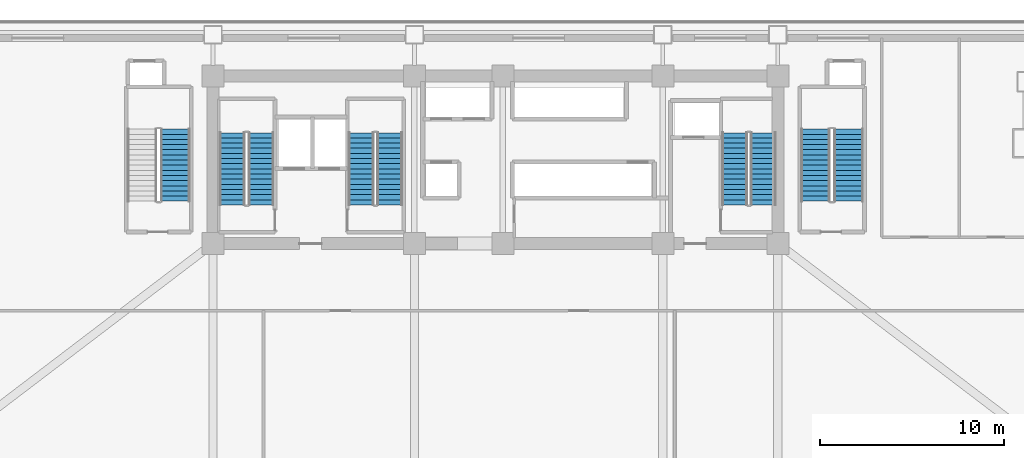
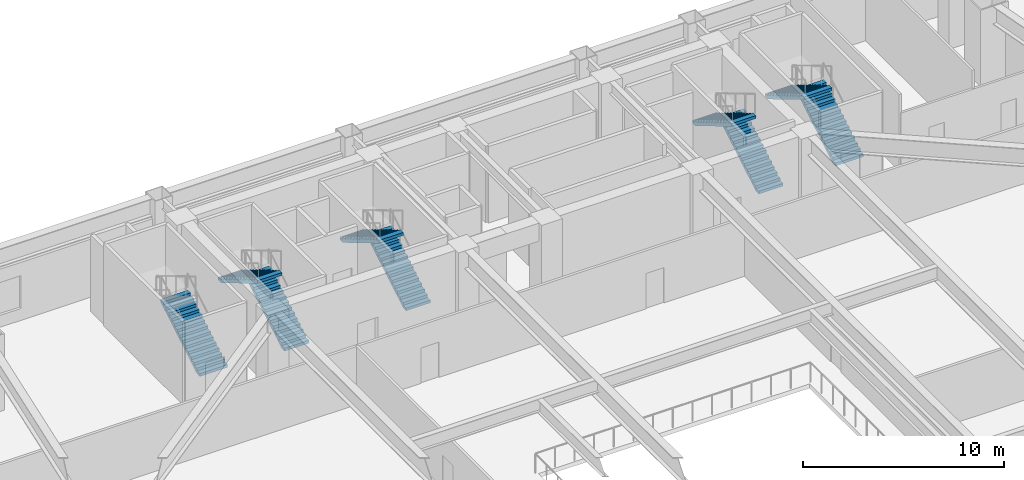
# One storey, part 9 of 14: 9 stair flights, 5 elements without a shape of their own.
"""IFC4 building model written with IfcOpenShell, lengths in metres."""

from ifc_helpers import new_model, si_unit, direction, frame, origin, place, context, subcontext, project, spatial, polyline, outline, extrude, material, type_object, element, aggregate, save


model = new_model("IFC4")

# Units and contexts
model_context = context("Model", 3, precision=1e-05, world=origin(), true_north=direction((0.0, 1.0)))
body_context = subcontext(model_context, "Body", "Model", "MODEL_VIEW")
ifc_project = project(units=[si_unit("LENGTHUNIT", "METRE"), si_unit("AREAUNIT", "SQUARE_METRE"), si_unit("VOLUMEUNIT", "CUBIC_METRE"), si_unit("PLANEANGLEUNIT", "RADIAN"), si_unit("MASSUNIT", "GRAM", prefix="KILO")], contexts=[model_context])

# Site, building, storey
site_placement = place(None, origin())
site = spatial("IfcSite", under=ifc_project, at=site_placement, CompositionType="ELEMENT")
building_placement = place(site_placement, origin())
building = spatial("IfcBuilding", under=site, at=building_placement, Name="Giltprow Tower", CompositionType="ELEMENT")
storey_placement = place(building_placement, frame((0.0, 0.0, 15.199951171875)))
storey = spatial("IfcBuildingStorey", under=building, at=storey_placement, Name="L04", CompositionType="ELEMENT", Elevation=15.199951171875)

# Stair, stair flights
ifc_material = material(Name="Concrete C40", Category="concrete")
stair_type_1 = type_object("IfcStairType", Name="STR-ST-1", PredefinedType="HALF_TURN_STAIR", material=ifc_material)
stair_1_placement = place(storey_placement, origin())
stair_1 = element("IfcStair", 1, at=stair_1_placement, inside=storey, type_object=stair_type_1, Name="L04 Core Exit Stair ST-1", PredefinedType="HALF_TURN_STAIR")
stair_flight_type_1 = type_object("IfcStairFlightType", Name="SFL-ST-1", PredefinedType="STRAIGHT", material=ifc_material)
stair_flight_1_placement = place(storey_placement, frame((22.4599609375, 39.550048828125, 0.0), z_axis=(0.0, 0.0, 1.0), x_axis=(0.0, 1.0, 0.0)))
stair_flight_1 = element("IfcStairFlight", 2, at=stair_flight_1_placement, type_object=stair_flight_type_1, Name="ST-1 flight 1", NumberOfRisers=15, NumberOfTreads=14, PredefinedType="STRAIGHT", RiserHeight=0.166666667, TreadLength=0.28, context=body_context, shape_type="SweptSolid", body=[
    extrude(outline(polyline([(0.0, 0.0), (0.0, 0.166748046875), (0.280029296875, 0.166748046875), (0.280029296875, 0.333251953125), (0.56005859375, 0.333251953125), (0.56005859375, 0.5), (0.840087890625, 0.5), (0.840087890625, 0.666748046875), (1.1201171875, 0.666748046875), (1.1201171875, 0.833251953125), (1.39990234375, 0.833251953125), (1.39990234375, 1.0), (1.679931640625, 1.0), (1.679931640625, 1.166748046875), (1.9599609375, 1.166748046875), (1.9599609375, 1.333251953125), (2.239990234375, 1.333251953125), (2.239990234375, 1.5), (2.52001953125, 1.5), (2.52001953125, 1.666748046875), (2.800048828125, 1.666748046875), (2.800048828125, 1.833251953125), (3.080078125, 1.833251953125), (3.080078125, 2.0), (3.360107421875, 2.0), (3.360107421875, 2.166748046875), (3.639892578125, 2.166748046875), (3.639892578125, 2.333251953125), (3.919921875, 2.333251953125), (3.919921875, 2.5), (3.919921875, 2.158935546875), (0.29296875, 0.0), (0.0, 0.0)])), frame((0.0, 0.699951171875, 0.0), z_axis=(0.0, -1.0, 0.0), x_axis=(1.0, 0.0, 0.0)), (0.0, 0.0, 1.0), 1.39990234375),
])
stair_flight_2_placement = place(storey_placement, frame((20.89990234375, 43.469970703125, 2.5), z_axis=(0.0, 0.0, 1.0), x_axis=(0.0, -1.0, 0.0)))
stair_flight_2 = element("IfcStairFlight", 3, at=stair_flight_2_placement, type_object=stair_flight_type_1, Name="ST-1 flight 2", NumberOfRisers=15, NumberOfTreads=14, PredefinedType="STRAIGHT", RiserHeight=0.166666667, TreadLength=0.28, context=body_context, shape_type="SweptSolid", body=[
    extrude(outline(polyline([(0.0, 0.0), (0.0, 0.166748046875), (0.280029296875, 0.166748046875), (0.280029296875, 0.333251953125), (0.56005859375, 0.333251953125), (0.56005859375, 0.5), (0.840087890625, 0.5), (0.840087890625, 0.666748046875), (1.1201171875, 0.666748046875), (1.1201171875, 0.833251953125), (1.39990234375, 0.833251953125), (1.39990234375, 1.0), (1.679931640625, 1.0), (1.679931640625, 1.166748046875), (1.9599609375, 1.166748046875), (1.9599609375, 1.333251953125), (2.239990234375, 1.333251953125), (2.239990234375, 1.5), (2.52001953125, 1.5), (2.52001953125, 1.666748046875), (2.800048828125, 1.666748046875), (2.800048828125, 1.833251953125), (3.080078125, 1.833251953125), (3.080078125, 2.0), (3.360107421875, 2.0), (3.360107421875, 2.166748046875), (3.639892578125, 2.166748046875), (3.639892578125, 2.333251953125), (3.919921875, 2.333251953125), (3.919921875, 2.5), (3.919921875, 2.158935546875), (0.29296875, 0.0), (0.0, 0.0)])), frame((0.0, 0.699951171875, 0.0), z_axis=(0.0, -1.0, 0.0), x_axis=(1.0, 0.0, 0.0)), (0.0, 0.0, 1.0), 1.39990234375),
])
aggregate(stair_1, [stair_flight_1, stair_flight_2])

stair_type_2 = type_object("IfcStairType", Name="STR-ST-2", PredefinedType="HALF_TURN_STAIR", material=ifc_material)
stair_2_placement = place(storey_placement, origin())
stair_2 = element("IfcStair", 4, at=stair_2_placement, inside=storey, type_object=stair_type_2, Name="L04 Core Exit Stair ST-2", PredefinedType="HALF_TURN_STAIR")
stair_flight_type_2 = type_object("IfcStairFlightType", Name="SFL-ST-2", PredefinedType="STRAIGHT", material=ifc_material)
stair_flight_3_placement = place(storey_placement, frame((29.4599609375, 39.550048828125, 0.0), z_axis=(0.0, 0.0, 1.0), x_axis=(0.0, 1.0, 0.0)))
stair_flight_3 = element("IfcStairFlight", 5, at=stair_flight_3_placement, type_object=stair_flight_type_2, Name="ST-2 flight 1", NumberOfRisers=15, NumberOfTreads=14, PredefinedType="STRAIGHT", RiserHeight=0.166666667, TreadLength=0.28, context=body_context, shape_type="SweptSolid", body=[
    extrude(outline(polyline([(0.0, 0.0), (0.0, 0.166748046875), (0.280029296875, 0.166748046875), (0.280029296875, 0.333251953125), (0.56005859375, 0.333251953125), (0.56005859375, 0.5), (0.840087890625, 0.5), (0.840087890625, 0.666748046875), (1.1201171875, 0.666748046875), (1.1201171875, 0.833251953125), (1.39990234375, 0.833251953125), (1.39990234375, 1.0), (1.679931640625, 1.0), (1.679931640625, 1.166748046875), (1.9599609375, 1.166748046875), (1.9599609375, 1.333251953125), (2.239990234375, 1.333251953125), (2.239990234375, 1.5), (2.52001953125, 1.5), (2.52001953125, 1.666748046875), (2.800048828125, 1.666748046875), (2.800048828125, 1.833251953125), (3.080078125, 1.833251953125), (3.080078125, 2.0), (3.360107421875, 2.0), (3.360107421875, 2.166748046875), (3.639892578125, 2.166748046875), (3.639892578125, 2.333251953125), (3.919921875, 2.333251953125), (3.919921875, 2.5), (3.919921875, 2.158935546875), (0.29296875, 0.0), (0.0, 0.0)])), frame((0.0, 0.699951171875, 0.0), z_axis=(0.0, -1.0, 0.0), x_axis=(1.0, 0.0, 0.0)), (0.0, 0.0, 1.0), 1.39990234375),
])
stair_flight_4_placement = place(storey_placement, frame((27.89990234375, 43.469970703125, 2.5), z_axis=(0.0, 0.0, 1.0), x_axis=(0.0, -1.0, 0.0)))
stair_flight_4 = element("IfcStairFlight", 6, at=stair_flight_4_placement, type_object=stair_flight_type_2, Name="ST-2 flight 2", NumberOfRisers=15, NumberOfTreads=14, PredefinedType="STRAIGHT", RiserHeight=0.166666667, TreadLength=0.28, context=body_context, shape_type="SweptSolid", body=[
    extrude(outline(polyline([(0.0, 0.0), (0.0, 0.166748046875), (0.280029296875, 0.166748046875), (0.280029296875, 0.333251953125), (0.56005859375, 0.333251953125), (0.56005859375, 0.5), (0.840087890625, 0.5), (0.840087890625, 0.666748046875), (1.1201171875, 0.666748046875), (1.1201171875, 0.833251953125), (1.39990234375, 0.833251953125), (1.39990234375, 1.0), (1.679931640625, 1.0), (1.679931640625, 1.166748046875), (1.9599609375, 1.166748046875), (1.9599609375, 1.333251953125), (2.239990234375, 1.333251953125), (2.239990234375, 1.5), (2.52001953125, 1.5), (2.52001953125, 1.666748046875), (2.800048828125, 1.666748046875), (2.800048828125, 1.833251953125), (3.080078125, 1.833251953125), (3.080078125, 2.0), (3.360107421875, 2.0), (3.360107421875, 2.166748046875), (3.639892578125, 2.166748046875), (3.639892578125, 2.333251953125), (3.919921875, 2.333251953125), (3.919921875, 2.5), (3.919921875, 2.158935546875), (0.29296875, 0.0), (0.0, 0.0)])), frame((0.0, 0.699951171875, 0.0), z_axis=(0.0, -1.0, 0.0), x_axis=(1.0, 0.0, 0.0)), (0.0, 0.0, 1.0), 1.39990234375),
])
aggregate(stair_2, [stair_flight_3, stair_flight_4])

stair_type_3 = type_object("IfcStairType", Name="STR-ST-3", PredefinedType="HALF_TURN_STAIR", material=ifc_material)
stair_3_placement = place(storey_placement, origin())
stair_3 = element("IfcStair", 7, at=stair_3_placement, inside=storey, type_object=stair_type_3, Name="L04 Core Exit Stair ST-3", PredefinedType="HALF_TURN_STAIR")
stair_flight_type_3 = type_object("IfcStairFlightType", Name="SFL-ST-3", PredefinedType="STRAIGHT", material=ifc_material)
stair_flight_5_placement = place(storey_placement, frame((49.760009765625, 39.550048828125, 0.0), z_axis=(0.0, 0.0, 1.0), x_axis=(0.0, 1.0, 0.0)))
stair_flight_5 = element("IfcStairFlight", 8, at=stair_flight_5_placement, type_object=stair_flight_type_3, Name="ST-3 flight 1", NumberOfRisers=15, NumberOfTreads=14, PredefinedType="STRAIGHT", RiserHeight=0.166666667, TreadLength=0.28, context=body_context, shape_type="SweptSolid", body=[
    extrude(outline(polyline([(0.0, 0.0), (0.0, 0.166748046875), (0.280029296875, 0.166748046875), (0.280029296875, 0.333251953125), (0.56005859375, 0.333251953125), (0.56005859375, 0.5), (0.840087890625, 0.5), (0.840087890625, 0.666748046875), (1.1201171875, 0.666748046875), (1.1201171875, 0.833251953125), (1.39990234375, 0.833251953125), (1.39990234375, 1.0), (1.679931640625, 1.0), (1.679931640625, 1.166748046875), (1.9599609375, 1.166748046875), (1.9599609375, 1.333251953125), (2.239990234375, 1.333251953125), (2.239990234375, 1.5), (2.52001953125, 1.5), (2.52001953125, 1.666748046875), (2.800048828125, 1.666748046875), (2.800048828125, 1.833251953125), (3.080078125, 1.833251953125), (3.080078125, 2.0), (3.360107421875, 2.0), (3.360107421875, 2.166748046875), (3.639892578125, 2.166748046875), (3.639892578125, 2.333251953125), (3.919921875, 2.333251953125), (3.919921875, 2.5), (3.919921875, 2.158935546875), (0.29296875, 0.0), (0.0, 0.0)])), frame((0.0, 0.699951171875, 0.0), z_axis=(0.0, -1.0, 0.0), x_axis=(1.0, 0.0, 0.0)), (0.0, 0.0, 1.0), 1.39990234375),
])
stair_flight_6_placement = place(storey_placement, frame((48.199951171875, 43.469970703125, 2.5), z_axis=(0.0, 0.0, 1.0), x_axis=(0.0, -1.0, 0.0)))
stair_flight_6 = element("IfcStairFlight", 9, at=stair_flight_6_placement, type_object=stair_flight_type_3, Name="ST-3 flight 2", NumberOfRisers=15, NumberOfTreads=14, PredefinedType="STRAIGHT", RiserHeight=0.166666667, TreadLength=0.28, context=body_context, shape_type="SweptSolid", body=[
    extrude(outline(polyline([(0.0, 0.0), (0.0, 0.166748046875), (0.280029296875, 0.166748046875), (0.280029296875, 0.333251953125), (0.56005859375, 0.333251953125), (0.56005859375, 0.5), (0.840087890625, 0.5), (0.840087890625, 0.666748046875), (1.1201171875, 0.666748046875), (1.1201171875, 0.833251953125), (1.39990234375, 0.833251953125), (1.39990234375, 1.0), (1.679931640625, 1.0), (1.679931640625, 1.166748046875), (1.9599609375, 1.166748046875), (1.9599609375, 1.333251953125), (2.239990234375, 1.333251953125), (2.239990234375, 1.5), (2.52001953125, 1.5), (2.52001953125, 1.666748046875), (2.800048828125, 1.666748046875), (2.800048828125, 1.833251953125), (3.080078125, 1.833251953125), (3.080078125, 2.0), (3.360107421875, 2.0), (3.360107421875, 2.166748046875), (3.639892578125, 2.166748046875), (3.639892578125, 2.333251953125), (3.919921875, 2.333251953125), (3.919921875, 2.5), (3.919921875, 2.158935546875), (0.29296875, 0.0), (0.0, 0.0)])), frame((0.0, 0.699951171875, 0.0), z_axis=(0.0, -1.0, 0.0), x_axis=(1.0, 0.0, 0.0)), (0.0, 0.0, 1.0), 1.39990234375),
])
aggregate(stair_3, [stair_flight_5, stair_flight_6])

# Stair, stair flight
stair_type_4 = type_object("IfcStairType", Name="STR-ST-P1", PredefinedType="HALF_TURN_STAIR", material=ifc_material)
stair_4_placement = place(storey_placement, origin())
stair_4 = element("IfcStair", 10, at=stair_4_placement, inside=storey, type_object=stair_type_4, Name="L04 Podium Exit Stair ST-P1", PredefinedType="HALF_TURN_STAIR")
stair_flight_type_4 = type_object("IfcStairFlightType", Name="SFL-ST-P1", PredefinedType="STRAIGHT", material=ifc_material)
stair_flight_7_placement = place(storey_placement, frame((17.800048828125, 39.75, 0.0), z_axis=(0.0, 0.0, 1.0), x_axis=(0.0, 1.0, 0.0)))
stair_flight_7 = element("IfcStairFlight", 11, at=stair_flight_7_placement, type_object=stair_flight_type_4, Name="ST-P1 flight 1", NumberOfRisers=15, NumberOfTreads=14, PredefinedType="STRAIGHT", RiserHeight=0.166666667, TreadLength=0.28, context=body_context, shape_type="SweptSolid", body=[
    extrude(outline(polyline([(0.0, 0.0), (0.0, 0.166748046875), (0.280029296875, 0.166748046875), (0.280029296875, 0.333251953125), (0.56005859375, 0.333251953125), (0.56005859375, 0.5), (0.840087890625, 0.5), (0.840087890625, 0.666748046875), (1.1201171875, 0.666748046875), (1.1201171875, 0.833251953125), (1.39990234375, 0.833251953125), (1.39990234375, 1.0), (1.679931640625, 1.0), (1.679931640625, 1.166748046875), (1.9599609375, 1.166748046875), (1.9599609375, 1.333251953125), (2.239990234375, 1.333251953125), (2.239990234375, 1.5), (2.52001953125, 1.5), (2.52001953125, 1.666748046875), (2.800048828125, 1.666748046875), (2.800048828125, 1.833251953125), (3.080078125, 1.833251953125), (3.080078125, 2.0), (3.360107421875, 2.0), (3.360107421875, 2.166748046875), (3.639892578125, 2.166748046875), (3.639892578125, 2.333251953125), (3.919921875, 2.333251953125), (3.919921875, 2.5), (3.919921875, 2.158935546875), (0.29296875, 0.0), (0.0, 0.0)])), frame((0.0, 0.800048828125, 0.0), z_axis=(0.0, -1.0, 0.0), x_axis=(1.0, 0.0, 0.0)), (0.0, 0.0, 1.0), 1.60009765625),
])
aggregate(stair_4, [stair_flight_7])

# Stair, stair flights
stair_type_5 = type_object("IfcStairType", Name="STR-ST-P2", PredefinedType="HALF_TURN_STAIR", material=ifc_material)
stair_5_placement = place(storey_placement, origin())
stair_5 = element("IfcStair", 12, at=stair_5_placement, inside=storey, type_object=stair_type_5, Name="L04 Podium Exit Stair ST-P2", PredefinedType="HALF_TURN_STAIR")
stair_flight_type_5 = type_object("IfcStairFlightType", Name="SFL-ST-P2", PredefinedType="STRAIGHT", material=ifc_material)
stair_flight_8_placement = place(storey_placement, frame((54.39990234375, 39.75, 0.0), z_axis=(0.0, 0.0, 1.0), x_axis=(0.0, 1.0, 0.0)))
stair_flight_8 = element("IfcStairFlight", 13, at=stair_flight_8_placement, type_object=stair_flight_type_5, Name="ST-P2 flight 1", NumberOfRisers=15, NumberOfTreads=14, PredefinedType="STRAIGHT", RiserHeight=0.166666667, TreadLength=0.28, context=body_context, shape_type="SweptSolid", body=[
    extrude(outline(polyline([(0.0, 0.0), (0.0, 0.166748046875), (0.280029296875, 0.166748046875), (0.280029296875, 0.333251953125), (0.56005859375, 0.333251953125), (0.56005859375, 0.5), (0.840087890625, 0.5), (0.840087890625, 0.666748046875), (1.1201171875, 0.666748046875), (1.1201171875, 0.833251953125), (1.39990234375, 0.833251953125), (1.39990234375, 1.0), (1.679931640625, 1.0), (1.679931640625, 1.166748046875), (1.9599609375, 1.166748046875), (1.9599609375, 1.333251953125), (2.239990234375, 1.333251953125), (2.239990234375, 1.5), (2.52001953125, 1.5), (2.52001953125, 1.666748046875), (2.800048828125, 1.666748046875), (2.800048828125, 1.833251953125), (3.080078125, 1.833251953125), (3.080078125, 2.0), (3.360107421875, 2.0), (3.360107421875, 2.166748046875), (3.639892578125, 2.166748046875), (3.639892578125, 2.333251953125), (3.919921875, 2.333251953125), (3.919921875, 2.5), (3.919921875, 2.158935546875), (0.29296875, 0.0), (0.0, 0.0)])), frame((0.0, 0.800048828125, 0.0), z_axis=(0.0, -1.0, 0.0), x_axis=(1.0, 0.0, 0.0)), (0.0, 0.0, 1.0), 1.60009765625),
])
stair_flight_9_placement = place(storey_placement, frame((52.60009765625, 43.669921875, 2.5), z_axis=(0.0, 0.0, 1.0), x_axis=(0.0, -1.0, 0.0)))
stair_flight_9 = element("IfcStairFlight", 14, at=stair_flight_9_placement, type_object=stair_flight_type_5, Name="ST-P2 flight 2", NumberOfRisers=15, NumberOfTreads=14, PredefinedType="STRAIGHT", RiserHeight=0.166666667, TreadLength=0.28, context=body_context, shape_type="SweptSolid", body=[
    extrude(outline(polyline([(0.0, 0.0), (0.0, 0.166748046875), (0.280029296875, 0.166748046875), (0.280029296875, 0.333251953125), (0.56005859375, 0.333251953125), (0.56005859375, 0.5), (0.840087890625, 0.5), (0.840087890625, 0.666748046875), (1.1201171875, 0.666748046875), (1.1201171875, 0.833251953125), (1.39990234375, 0.833251953125), (1.39990234375, 1.0), (1.679931640625, 1.0), (1.679931640625, 1.166748046875), (1.9599609375, 1.166748046875), (1.9599609375, 1.333251953125), (2.239990234375, 1.333251953125), (2.239990234375, 1.5), (2.52001953125, 1.5), (2.52001953125, 1.666748046875), (2.800048828125, 1.666748046875), (2.800048828125, 1.833251953125), (3.080078125, 1.833251953125), (3.080078125, 2.0), (3.360107421875, 2.0), (3.360107421875, 2.166748046875), (3.639892578125, 2.166748046875), (3.639892578125, 2.333251953125), (3.919921875, 2.333251953125), (3.919921875, 2.5), (3.919921875, 2.158935546875), (0.29296875, 0.0), (0.0, 0.0)])), frame((0.0, 0.800048828125, 0.0), z_axis=(0.0, -1.0, 0.0), x_axis=(1.0, 0.0, 0.0)), (0.0, 0.0, 1.0), 1.60009765625),
])
aggregate(stair_5, [stair_flight_8, stair_flight_9])

save(model, "model.ifc")
